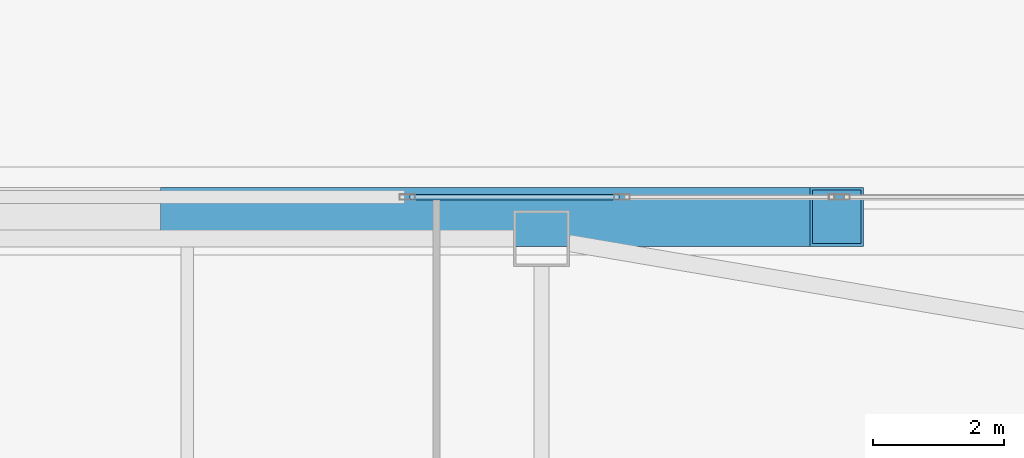
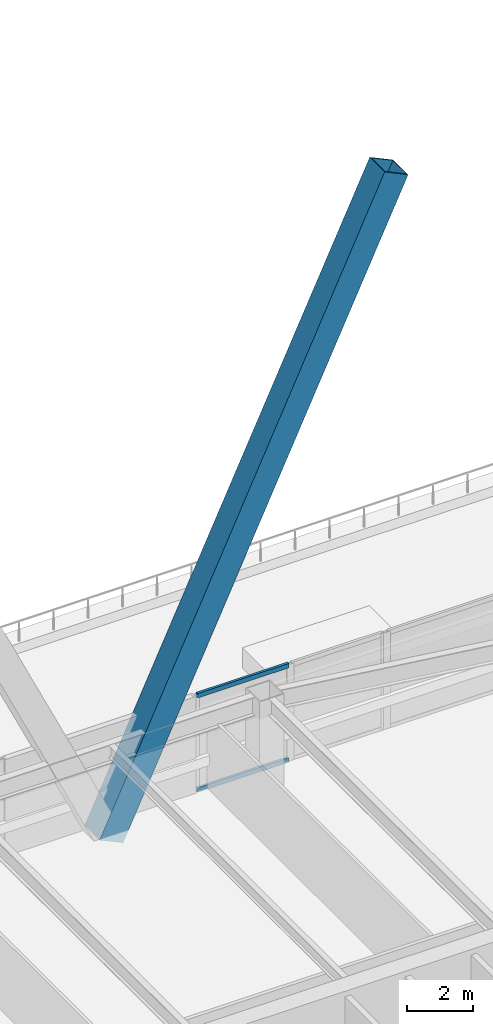
# One storey, part 21 of 83: 3 members, 1 element without a shape of its own.
"""IFC4 building model written with IfcOpenShell, lengths in metres."""

from ifc_helpers import new_model, si_unit, direction, frame, origin, origin_2d, place, context, subcontext, project, spatial, hollow_rectangle, extrude, material, material_profile, profile_set, type_object, element, aggregate, save


model = new_model("IFC4")

# Units and contexts
model_context = context("Model", 3, precision=1e-05, world=origin(), true_north=direction((0.0, 1.0)))
body_context = subcontext(model_context, "Body", "Model", "MODEL_VIEW")
ifc_project = project(units=[si_unit("LENGTHUNIT", "METRE"), si_unit("AREAUNIT", "SQUARE_METRE"), si_unit("VOLUMEUNIT", "CUBIC_METRE"), si_unit("PLANEANGLEUNIT", "RADIAN"), si_unit("MASSUNIT", "GRAM", prefix="KILO")], contexts=[model_context])

# Site, building, storey
site_placement = place(None, origin())
site = spatial("IfcSite", under=ifc_project, at=site_placement, CompositionType="ELEMENT")
building_placement = place(site_placement, origin())
building = spatial("IfcBuilding", under=site, at=building_placement, Name="Tashvorn Skyway Center", CompositionType="ELEMENT")
storey_placement = place(building_placement, frame((0.0, 0.0, 24.60009765625)))
storey = spatial("IfcBuildingStorey", under=building, at=storey_placement, Name="L05", CompositionType="ELEMENT", Elevation=24.60009765625)

# Curtain wall, members
ifc_material_1 = material(Name="Thermally broken bronze-anodized aluminium 6063-T6", Category="aluminium")
curtain_wall_type = type_object("IfcCurtainWallType", Name="CW-CW-Z1", PredefinedType="NOTDEFINED", material=ifc_material_1)
curtain_wall_placement = place(storey_placement, origin())
curtain_wall = element("IfcCurtainWall", 1, at=curtain_wall_placement, inside=storey, type_object=curtain_wall_type, Name="Tower 1 L05 North Unitised Curtain Wall Glazing Group 3", PredefinedType="NOTDEFINED")
ifc_material_profile_1 = material_profile(ifc_material_1, hollow_rectangle(XDim=0.0849609375, YDim=0.1650390625, WallThickness=0.0048828125, at=origin_2d()), Name="ALU-TRAN-85x165")
ifc_profile_set_1 = profile_set([ifc_material_profile_1], Name="Thermally broken bronze-anodized aluminium 6063-T6")
member_type_1 = type_object("IfcMemberType", Name="CWT-CW-Z1", PredefinedType="USERDEFINED", material=ifc_profile_set_1)
member_1_placement = place(storey_placement, frame((45.398193359375, 54.8798828125, 0.04248046875), z_axis=(1.0, 0.0, 0.0), x_axis=(0.0, 1.0, 0.0)))
member_1 = element("IfcMember", 2, at=member_1_placement, type_object=member_type_1, Name="CW-Z1 transom 1.1", ObjectType="TRANSOM", PredefinedType="USERDEFINED", context=body_context, shape_type="SweptSolid", body=[
    extrude(hollow_rectangle(XDim=0.0849609375, YDim=0.1650390625, WallThickness=0.0048828125, at=origin_2d()), origin(), (0.0, 0.0, 1.0), 3.18603515625),
])
member_2_placement = place(storey_placement, frame((45.398193359375, 54.8798828125, 3.50732421875), z_axis=(1.0, 0.0, 0.0), x_axis=(0.0, 1.0, 0.0)))
member_2 = element("IfcMember", 3, at=member_2_placement, type_object=member_type_1, Name="CW-Z1 transom 1.2", ObjectType="TRANSOM", PredefinedType="USERDEFINED", context=body_context, shape_type="SweptSolid", body=[
    extrude(hollow_rectangle(XDim=0.0849609375, YDim=0.1650390625, WallThickness=0.0048828125, at=origin_2d()), origin(), (0.0, 0.0, 1.0), 3.18603515625),
])
aggregate(curtain_wall, [member_1, member_2])

# Member
ifc_material_2 = material(Name="Steel ASTM A572 Grade 50", Category="steel")
ifc_material_profile_2 = material_profile(ifc_material_2, hollow_rectangle(XDim=0.89990234375, YDim=0.89990234375, WallThickness=0.0400390625, at=origin_2d()), Name="BOX900x900x40")
ifc_profile_set_2 = profile_set([ifc_material_profile_2], Name="Steel ASTM A572 Grade 50")
member_type_2 = type_object("IfcMemberType", Name="MEM-MB-900", PredefinedType="BRACE", material=ifc_profile_set_2)
member_3_placement = place(storey_placement, frame((42.0, 54.580078125, -0.22021484375), z_axis=(0.425254538693, 0.0, 0.905073796616), x_axis=(0.0, 1.0, 0.0)))
element("IfcMember", 4, at=member_3_placement, inside=storey, type_object=member_type_2, Name="Tower 1 Zone 1 N Chevron Mega-Brace L1", PredefinedType="BRACE", context=body_context, shape_type="SweptSolid", body=[
    extrude(hollow_rectangle(XDim=0.89990234375, YDim=0.89990234375, WallThickness=0.0400390625, at=origin_2d()), origin(), (0.0, 0.0, 1.0), 23.280029296875),
])

save(model, "model.ifc")
